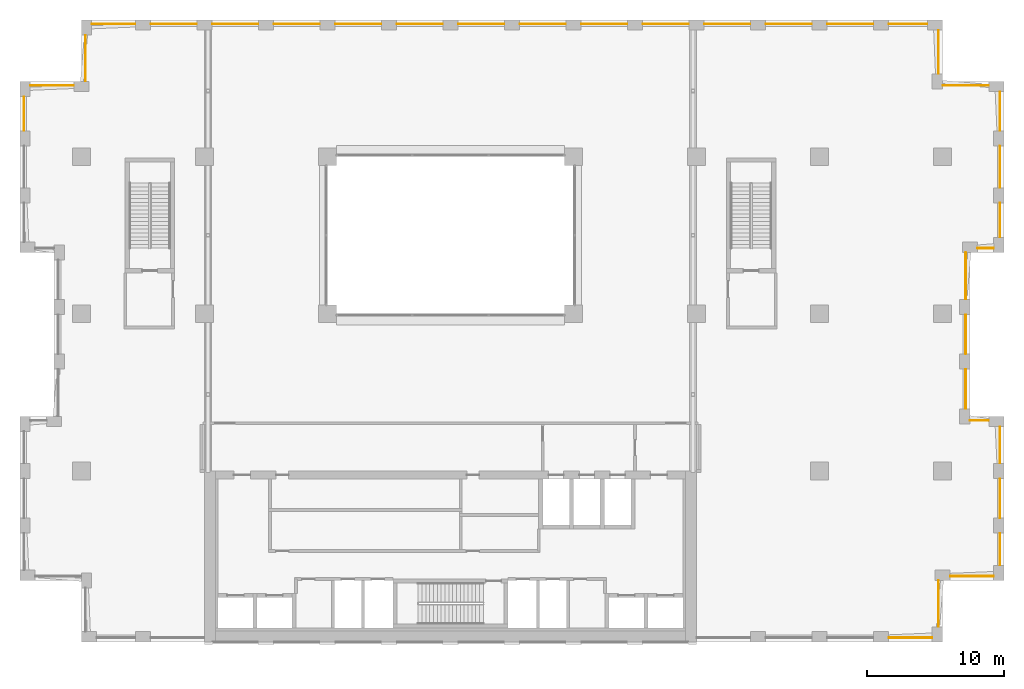
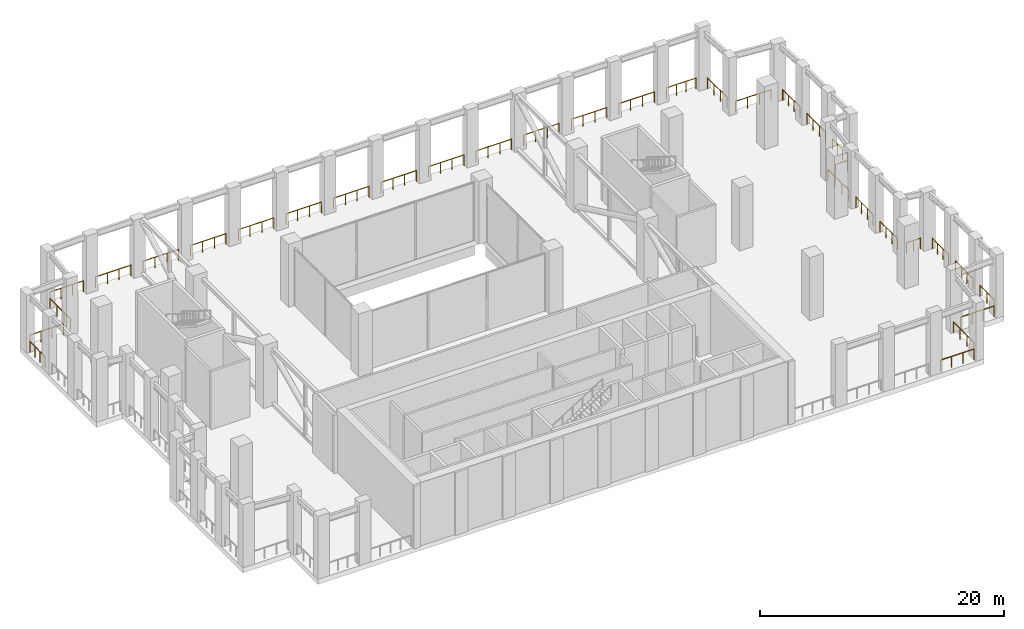
# One storey, part 14 of 14: 33 railings.
"""IFC4 building model written with IfcOpenShell, lengths in metres."""

from ifc_helpers import new_model, si_unit, direction, frame, origin, origin_2d, place, context, subcontext, project, spatial, circle, extrude, material, type_object, element, save


model = new_model("IFC4")

# Units and contexts
model_context = context("Model", 3, precision=1e-05, world=origin(), true_north=direction((0.0, 1.0)))
body_context = subcontext(model_context, "Body", "Model", "MODEL_VIEW")
ifc_project = project(units=[si_unit("LENGTHUNIT", "METRE"), si_unit("AREAUNIT", "SQUARE_METRE"), si_unit("VOLUMEUNIT", "CUBIC_METRE"), si_unit("PLANEANGLEUNIT", "RADIAN"), si_unit("MASSUNIT", "GRAM", prefix="KILO")], contexts=[model_context])

# Site, building, storey
site_placement = place(None, origin())
site = spatial("IfcSite", under=ifc_project, at=site_placement, CompositionType="ELEMENT")
building_placement = place(site_placement, origin())
building = spatial("IfcBuilding", under=site, at=building_placement, Name="Brigalow Station Residences", CompositionType="ELEMENT")
storey_placement = place(building_placement, frame((0.0, 0.0, 130.800048828125)))
storey = spatial("IfcBuildingStorey", under=building, at=storey_placement, Name="L38", CompositionType="ELEMENT", Elevation=130.800048828125)

# Railings
ifc_material = material(Name="Stainless steel balustrade with laminated glass infill", Category="steel")
railing_type = type_object("IfcRailingType", Name="BALCONY GUARD 1100", PredefinedType="GUARDRAIL", material=ifc_material)
railing_1_placement = place(storey_placement, frame((68.072998046875, 0.300048828125, 0.0)))
element("IfcRailing", 1, at=railing_1_placement, inside=storey, type_object=railing_type, Name="L38/edge-guard/W-L38-4-6", PredefinedType="GUARDRAIL", context=body_context, shape_type="SweptSolid", body=[
    extrude(circle(Radius=0.02392578125, at=origin_2d()), frame((0.0, 0.0, 1.076171875), z_axis=(1.0, 0.0, 0.0), x_axis=(0.0, 1.0, 0.0)), (0.0, 0.0, 1.0), 3.154052734375),
    extrude(circle(Radius=0.02099609375, at=origin_2d()), origin(), (0.0, 0.0, 1.0), 1.052001953125),
    extrude(circle(Radius=0.02099609375, at=origin_2d()), frame((1.05126953125, 0.0, 0.0)), (0.0, 0.0, 1.0), 1.052001953125),
    extrude(circle(Radius=0.02099609375, at=origin_2d()), frame((2.102783203125, 0.0, 0.0)), (0.0, 0.0, 1.0), 1.052001953125),
    extrude(circle(Radius=0.02099609375, at=origin_2d()), frame((3.154052734375, 0.0, 0.0)), (0.0, 0.0, 1.0), 1.052001953125),
])
railing_2_placement = place(storey_placement, frame((71.699951171875, 1.123046875, 0.0)))
element("IfcRailing", 2, at=railing_2_placement, inside=storey, type_object=railing_type, Name="L38/edge-guard/W-L38-8-7", PredefinedType="GUARDRAIL", context=body_context, shape_type="SweptSolid", body=[
    extrude(circle(Radius=0.02392578125, at=origin_2d()), frame((0.0, 0.0, 1.076171875), z_axis=(0.0, 1.0, 0.0), x_axis=(-1.0, 0.0, 0.0)), (0.0, 0.0, 1.0), 3.35400390625),
    extrude(circle(Radius=0.02099609375, at=origin_2d()), origin(), (0.0, 0.0, 1.0), 1.052001953125),
    extrude(circle(Radius=0.02099609375, at=origin_2d()), frame((0.0, 1.117919921875, 0.0)), (0.0, 0.0, 1.0), 1.052001953125),
    extrude(circle(Radius=0.02099609375, at=origin_2d()), frame((0.0, 2.236083984375, 0.0)), (0.0, 0.0, 1.0), 1.052001953125),
    extrude(circle(Radius=0.02099609375, at=origin_2d()), frame((0.0, 3.35400390625, 0.0)), (0.0, 0.0, 1.0), 1.052001953125),
])
railing_3_placement = place(storey_placement, frame((72.572998046875, 4.800048828125, 0.0)))
element("IfcRailing", 3, at=railing_3_placement, inside=storey, type_object=railing_type, Name="L38/edge-guard/W-L38-9-8", PredefinedType="GUARDRAIL", context=body_context, shape_type="SweptSolid", body=[
    extrude(circle(Radius=0.02392578125, at=origin_2d()), frame((0.0, 0.0, 1.076171875), z_axis=(1.0, 0.0, 0.0), x_axis=(0.0, 1.0, 0.0)), (0.0, 0.0, 1.0), 3.154052734375),
    extrude(circle(Radius=0.02099609375, at=origin_2d()), origin(), (0.0, 0.0, 1.0), 1.052001953125),
    extrude(circle(Radius=0.02099609375, at=origin_2d()), frame((1.05126953125, 0.0, 0.0)), (0.0, 0.0, 1.0), 1.052001953125),
    extrude(circle(Radius=0.02099609375, at=origin_2d()), frame((2.102783203125, 0.0, 0.0)), (0.0, 0.0, 1.0), 1.052001953125),
    extrude(circle(Radius=0.02099609375, at=origin_2d()), frame((3.154052734375, 0.0, 0.0)), (0.0, 0.0, 1.0), 1.052001953125),
])
railing_4_placement = place(storey_placement, frame((76.199951171875, 5.623046875, 0.0)))
element("IfcRailing", 4, at=railing_4_placement, inside=storey, type_object=railing_type, Name="L38/edge-guard/W-L38-10-9", PredefinedType="GUARDRAIL", context=body_context, shape_type="SweptSolid", body=[
    extrude(circle(Radius=0.02392578125, at=origin_2d()), frame((0.0, 0.0, 1.076171875), z_axis=(0.0, 1.0, 0.0), x_axis=(-1.0, 0.0, 0.0)), (0.0, 0.0, 1.0), 2.303955078125),
    extrude(circle(Radius=0.02099609375, at=origin_2d()), origin(), (0.0, 0.0, 1.0), 1.052001953125),
    extrude(circle(Radius=0.02099609375, at=origin_2d()), frame((0.0, 1.15185546875, 0.0)), (0.0, 0.0, 1.0), 1.052001953125),
    extrude(circle(Radius=0.02099609375, at=origin_2d()), frame((0.0, 2.303955078125, 0.0)), (0.0, 0.0, 1.0), 1.052001953125),
])
railing_5_placement = place(storey_placement, frame((76.199951171875, 9.072998046875, 0.0)))
element("IfcRailing", 5, at=railing_5_placement, inside=storey, type_object=railing_type, Name="L38/edge-guard/W-L38-10-10", PredefinedType="GUARDRAIL", context=body_context, shape_type="SweptSolid", body=[
    extrude(circle(Radius=0.02392578125, at=origin_2d()), frame((0.0, 0.0, 1.076171875), z_axis=(0.0, 1.0, 0.0), x_axis=(-1.0, 0.0, 0.0)), (0.0, 0.0, 1.0), 2.85400390625),
    extrude(circle(Radius=0.02099609375, at=origin_2d()), origin(), (0.0, 0.0, 1.0), 1.052001953125),
    extrude(circle(Radius=0.02099609375, at=origin_2d()), frame((0.0, 0.951416015625, 0.0)), (0.0, 0.0, 1.0), 1.052001953125),
    extrude(circle(Radius=0.02099609375, at=origin_2d()), frame((0.0, 1.902587890625, 0.0)), (0.0, 0.0, 1.0), 1.052001953125),
    extrude(circle(Radius=0.02099609375, at=origin_2d()), frame((0.0, 2.85400390625, 0.0)), (0.0, 0.0, 1.0), 1.052001953125),
])
railing_6_placement = place(storey_placement, frame((76.199951171875, 13.072998046875, 0.0)))
element("IfcRailing", 6, at=railing_6_placement, inside=storey, type_object=railing_type, Name="L38/edge-guard/W-L38-10-11", PredefinedType="GUARDRAIL", context=body_context, shape_type="SweptSolid", body=[
    extrude(circle(Radius=0.02392578125, at=origin_2d()), frame((0.0, 0.0, 1.076171875), z_axis=(0.0, 1.0, 0.0), x_axis=(-1.0, 0.0, 0.0)), (0.0, 0.0, 1.0), 2.654052734375),
    extrude(circle(Radius=0.02099609375, at=origin_2d()), origin(), (0.0, 0.0, 1.0), 1.052001953125),
    extrude(circle(Radius=0.02099609375, at=origin_2d()), frame((0.0, 0.884765625, 0.0)), (0.0, 0.0, 1.0), 1.052001953125),
    extrude(circle(Radius=0.02099609375, at=origin_2d()), frame((0.0, 1.769287109375, 0.0)), (0.0, 0.0, 1.0), 1.052001953125),
    extrude(circle(Radius=0.02099609375, at=origin_2d()), frame((0.0, 2.654052734375, 0.0)), (0.0, 0.0, 1.0), 1.052001953125),
])
railing_7_placement = place(storey_placement, frame((75.376953125, 16.199951171875, 0.0)))
element("IfcRailing", 7, at=railing_7_placement, inside=storey, type_object=railing_type, Name="L38/edge-guard/W-L38-13-12", PredefinedType="GUARDRAIL", context=body_context, shape_type="SweptSolid", body=[
    extrude(circle(Radius=0.02392578125, at=origin_2d()), frame((0.0, 0.0, 1.076171875), z_axis=(-1.0, 0.0, 0.0), x_axis=(0.0, -1.0, 0.0)), (0.0, 0.0, 1.0), 1.35400390625),
    extrude(circle(Radius=0.02099609375, at=origin_2d()), origin(), (0.0, 0.0, 1.0), 1.052001953125),
    extrude(circle(Radius=0.02099609375, at=origin_2d()), frame((-0.677001953125, 0.0, 0.0)), (0.0, 0.0, 1.0), 1.052001953125),
    extrude(circle(Radius=0.02099609375, at=origin_2d()), frame((-1.35400390625, 0.0, 0.0)), (0.0, 0.0, 1.0), 1.052001953125),
])
for number, where, name in (
    (8, (73.699951171875, 17.072998046875, 0.0), "L38/edge-guard/W-L38-14-13"),
    (9, (73.699951171875, 21.072998046875, 0.0), "L38/edge-guard/W-L38-14-14"),
):
    element("IfcRailing", number, at=place(storey_placement, frame(where)), inside=storey, type_object=railing_type, Name=name, PredefinedType="GUARDRAIL", context=body_context, shape_type="SweptSolid", body=[
        extrude(circle(Radius=0.02392578125, at=origin_2d()), frame((0.0, 0.0, 1.076171875), z_axis=(0.0, 1.0, 0.0), x_axis=(-1.0, 0.0, 0.0)), (0.0, 0.0, 1.0), 2.85400390625),
        extrude(circle(Radius=0.02099609375, at=origin_2d()), origin(), (0.0, 0.0, 1.0), 1.052001953125),
        extrude(circle(Radius=0.02099609375, at=origin_2d()), frame((0.0, 0.951416015625, 0.0)), (0.0, 0.0, 1.0), 1.052001953125),
        extrude(circle(Radius=0.02099609375, at=origin_2d()), frame((0.0, 1.902587890625, 0.0)), (0.0, 0.0, 1.0), 1.052001953125),
        extrude(circle(Radius=0.02099609375, at=origin_2d()), frame((0.0, 2.85400390625, 0.0)), (0.0, 0.0, 1.0), 1.052001953125),
    ])
railing_8_placement = place(storey_placement, frame((73.699951171875, 25.072998046875, 0.0)))
element("IfcRailing", 10, at=railing_8_placement, inside=storey, type_object=railing_type, Name="L38/edge-guard/W-L38-14-15", PredefinedType="GUARDRAIL", context=body_context, shape_type="SweptSolid", body=[
    extrude(circle(Radius=0.02392578125, at=origin_2d()), frame((0.0, 0.0, 1.076171875), z_axis=(0.0, 1.0, 0.0), x_axis=(-1.0, 0.0, 0.0)), (0.0, 0.0, 1.0), 3.404052734375),
    extrude(circle(Radius=0.02099609375, at=origin_2d()), origin(), (0.0, 0.0, 1.0), 1.052001953125),
    extrude(circle(Radius=0.02099609375, at=origin_2d()), frame((0.0, 1.134765625, 0.0)), (0.0, 0.0, 1.0), 1.052001953125),
    extrude(circle(Radius=0.02099609375, at=origin_2d()), frame((0.0, 2.269287109375, 0.0)), (0.0, 0.0, 1.0), 1.052001953125),
    extrude(circle(Radius=0.02099609375, at=origin_2d()), frame((0.0, 3.404052734375, 0.0)), (0.0, 0.0, 1.0), 1.052001953125),
])
railing_9_placement = place(storey_placement, frame((74.572998046875, 28.800048828125, 0.0)))
element("IfcRailing", 11, at=railing_9_placement, inside=storey, type_object=railing_type, Name="L38/edge-guard/W-L38-17-16", PredefinedType="GUARDRAIL", context=body_context, shape_type="SweptSolid", body=[
    extrude(circle(Radius=0.02392578125, at=origin_2d()), frame((0.0, 0.0, 1.076171875), z_axis=(1.0, 0.0, 0.0), x_axis=(0.0, 1.0, 0.0)), (0.0, 0.0, 1.0), 1.154052734375),
    extrude(circle(Radius=0.02099609375, at=origin_2d()), origin(), (0.0, 0.0, 1.0), 1.052001953125),
    extrude(circle(Radius=0.02099609375, at=origin_2d()), frame((1.154052734375, 0.0, 0.0)), (0.0, 0.0, 1.0), 1.052001953125),
])
railing_10_placement = place(storey_placement, frame((76.199951171875, 29.623046875, 0.0)))
element("IfcRailing", 12, at=railing_10_placement, inside=storey, type_object=railing_type, Name="L38/edge-guard/W-L38-18-17", PredefinedType="GUARDRAIL", context=body_context, shape_type="SweptSolid", body=[
    extrude(circle(Radius=0.02392578125, at=origin_2d()), frame((0.0, 0.0, 1.076171875), z_axis=(0.0, 1.0, 0.0), x_axis=(-1.0, 0.0, 0.0)), (0.0, 0.0, 1.0), 2.470947265625),
    extrude(circle(Radius=0.02099609375, at=origin_2d()), origin(), (0.0, 0.0, 1.0), 1.052001953125),
    extrude(circle(Radius=0.02099609375, at=origin_2d()), frame((0.0, 0.82373046875, 0.0)), (0.0, 0.0, 1.0), 1.052001953125),
    extrude(circle(Radius=0.02099609375, at=origin_2d()), frame((0.0, 1.647216796875, 0.0)), (0.0, 0.0, 1.0), 1.052001953125),
    extrude(circle(Radius=0.02099609375, at=origin_2d()), frame((0.0, 2.470947265625, 0.0)), (0.0, 0.0, 1.0), 1.052001953125),
])
railing_11_placement = place(storey_placement, frame((76.199951171875, 33.239990234375, 0.0)))
element("IfcRailing", 13, at=railing_11_placement, inside=storey, type_object=railing_type, Name="L38/edge-guard/W-L38-18-18", PredefinedType="GUARDRAIL", context=body_context, shape_type="SweptSolid", body=[
    extrude(circle(Radius=0.02392578125, at=origin_2d()), frame((0.0, 0.0, 1.076171875), z_axis=(0.0, 1.0, 0.0), x_axis=(-1.0, 0.0, 0.0)), (0.0, 0.0, 1.0), 3.02001953125),
    extrude(circle(Radius=0.02099609375, at=origin_2d()), origin(), (0.0, 0.0, 1.0), 1.052001953125),
    extrude(circle(Radius=0.02099609375, at=origin_2d()), frame((0.0, 1.006591796875, 0.0)), (0.0, 0.0, 1.0), 1.052001953125),
    extrude(circle(Radius=0.02099609375, at=origin_2d()), frame((0.0, 2.013427734375, 0.0)), (0.0, 0.0, 1.0), 1.052001953125),
    extrude(circle(Radius=0.02099609375, at=origin_2d()), frame((0.0, 3.02001953125, 0.0)), (0.0, 0.0, 1.0), 1.052001953125),
])
railing_12_placement = place(storey_placement, frame((76.199951171875, 37.406005859375, 0.0)))
element("IfcRailing", 14, at=railing_12_placement, inside=storey, type_object=railing_type, Name="L38/edge-guard/W-L38-18-19", PredefinedType="GUARDRAIL", context=body_context, shape_type="SweptSolid", body=[
    extrude(circle(Radius=0.02392578125, at=origin_2d()), frame((0.0, 0.0, 1.076171875), z_axis=(0.0, 1.0, 0.0), x_axis=(-1.0, 0.0, 0.0)), (0.0, 0.0, 1.0), 2.821044921875),
    extrude(circle(Radius=0.02099609375, at=origin_2d()), origin(), (0.0, 0.0, 1.0), 1.052001953125),
    extrude(circle(Radius=0.02099609375, at=origin_2d()), frame((0.0, 0.9404296875, 0.0)), (0.0, 0.0, 1.0), 1.052001953125),
    extrude(circle(Radius=0.02099609375, at=origin_2d()), frame((0.0, 1.880615234375, 0.0)), (0.0, 0.0, 1.0), 1.052001953125),
    extrude(circle(Radius=0.02099609375, at=origin_2d()), frame((0.0, 2.821044921875, 0.0)), (0.0, 0.0, 1.0), 1.052001953125),
])
railing_13_placement = place(storey_placement, frame((75.376953125, 40.699951171875, 0.0)))
element("IfcRailing", 15, at=railing_13_placement, inside=storey, type_object=railing_type, Name="L38/edge-guard/W-L38-21-20", PredefinedType="GUARDRAIL", context=body_context, shape_type="SweptSolid", body=[
    extrude(circle(Radius=0.02392578125, at=origin_2d()), frame((0.0, 0.0, 1.076171875), z_axis=(-1.0, 0.0, 0.0), x_axis=(0.0, -1.0, 0.0)), (0.0, 0.0, 1.0), 3.35400390625),
    extrude(circle(Radius=0.02099609375, at=origin_2d()), origin(), (0.0, 0.0, 1.0), 1.052001953125),
    extrude(circle(Radius=0.02099609375, at=origin_2d()), frame((-1.117919921875, 0.0, 0.0)), (0.0, 0.0, 1.0), 1.052001953125),
    extrude(circle(Radius=0.02099609375, at=origin_2d()), frame((-2.236083984375, 0.0, 0.0)), (0.0, 0.0, 1.0), 1.052001953125),
    extrude(circle(Radius=0.02099609375, at=origin_2d()), frame((-3.35400390625, 0.0, 0.0)), (0.0, 0.0, 1.0), 1.052001953125),
])
railing_14_placement = place(storey_placement, frame((71.699951171875, 41.572998046875, 0.0)))
element("IfcRailing", 16, at=railing_14_placement, inside=storey, type_object=railing_type, Name="L38/edge-guard/W-L38-22-21", PredefinedType="GUARDRAIL", context=body_context, shape_type="SweptSolid", body=[
    extrude(circle(Radius=0.02392578125, at=origin_2d()), frame((0.0, 0.0, 1.076171875), z_axis=(0.0, 1.0, 0.0), x_axis=(-1.0, 0.0, 0.0)), (0.0, 0.0, 1.0), 3.154052734375),
    extrude(circle(Radius=0.02099609375, at=origin_2d()), origin(), (0.0, 0.0, 1.0), 1.052001953125),
    extrude(circle(Radius=0.02099609375, at=origin_2d()), frame((0.0, 1.05126953125, 0.0)), (0.0, 0.0, 1.0), 1.052001953125),
    extrude(circle(Radius=0.02099609375, at=origin_2d()), frame((0.0, 2.102783203125, 0.0)), (0.0, 0.0, 1.0), 1.052001953125),
    extrude(circle(Radius=0.02099609375, at=origin_2d()), frame((0.0, 3.154052734375, 0.0)), (0.0, 0.0, 1.0), 1.052001953125),
])
railing_15_placement = place(storey_placement, frame((70.876953125, 45.199951171875, 0.0)))
element("IfcRailing", 17, at=railing_15_placement, inside=storey, type_object=railing_type, Name="L38/edge-guard/W-L38-23-22", PredefinedType="GUARDRAIL", context=body_context, shape_type="SweptSolid", body=[
    extrude(circle(Radius=0.02392578125, at=origin_2d()), frame((0.0, 0.0, 1.076171875), z_axis=(-1.0, 0.0, 0.0), x_axis=(0.0, -1.0, 0.0)), (0.0, 0.0, 1.0), 2.803955078125),
    extrude(circle(Radius=0.02099609375, at=origin_2d()), origin(), (0.0, 0.0, 1.0), 1.052001953125),
    extrude(circle(Radius=0.02099609375, at=origin_2d()), frame((-0.9345703125, 0.0, 0.0)), (0.0, 0.0, 1.0), 1.052001953125),
    extrude(circle(Radius=0.02099609375, at=origin_2d()), frame((-1.869384765625, 0.0, 0.0)), (0.0, 0.0, 1.0), 1.052001953125),
    extrude(circle(Radius=0.02099609375, at=origin_2d()), frame((-2.803955078125, 0.0, 0.0)), (0.0, 0.0, 1.0), 1.052001953125),
])
for number, where, name in (
    (18, (66.927001953125, 45.199951171875, 0.0), "L38/edge-guard/W-L38-23-23"),
    (19, (62.427001953125, 45.199951171875, 0.0), "L38/edge-guard/W-L38-23-24"),
    (20, (57.927001953125, 45.199951171875, 0.0), "L38/edge-guard/W-L38-23-25"),
    (21, (53.427001953125, 45.199951171875, 0.0), "L38/edge-guard/W-L38-23-26"),
    (22, (48.927001953125, 45.199951171875, 0.0), "L38/edge-guard/W-L38-23-27"),
    (23, (44.427001953125, 45.199951171875, 0.0), "L38/edge-guard/W-L38-23-28"),
    (24, (39.927001953125, 45.199951171875, 0.0), "L38/edge-guard/W-L38-23-29"),
    (25, (35.427001953125, 45.199951171875, 0.0), "L38/edge-guard/W-L38-23-30"),
    (26, (30.927001953125, 45.199951171875, 0.0), "L38/edge-guard/W-L38-23-31"),
    (27, (26.427001953125, 45.199951171875, 0.0), "L38/edge-guard/W-L38-23-32"),
    (28, (21.927001953125, 45.199951171875, 0.0), "L38/edge-guard/W-L38-23-33"),
    (29, (17.427001953125, 45.199951171875, 0.0), "L38/edge-guard/W-L38-23-34"),
):
    element("IfcRailing", number, at=place(storey_placement, frame(where)), inside=storey, type_object=railing_type, Name=name, PredefinedType="GUARDRAIL", context=body_context, shape_type="SweptSolid", body=[
        extrude(circle(Radius=0.02392578125, at=origin_2d()), frame((0.0, 0.0, 1.076171875), z_axis=(-1.0, 0.0, 0.0), x_axis=(0.0, -1.0, 0.0)), (0.0, 0.0, 1.0), 3.35400390625),
        extrude(circle(Radius=0.02099609375, at=origin_2d()), origin(), (0.0, 0.0, 1.0), 1.052001953125),
        extrude(circle(Radius=0.02099609375, at=origin_2d()), frame((-1.117919921875, 0.0, 0.0)), (0.0, 0.0, 1.0), 1.052001953125),
        extrude(circle(Radius=0.02099609375, at=origin_2d()), frame((-2.236083984375, 0.0, 0.0)), (0.0, 0.0, 1.0), 1.052001953125),
        extrude(circle(Radius=0.02099609375, at=origin_2d()), frame((-3.35400390625, 0.0, 0.0)), (0.0, 0.0, 1.0), 1.052001953125),
    ])
railing_16_placement = place(storey_placement, frame((12.927001953125, 45.199951171875, 0.0)))
element("IfcRailing", 30, at=railing_16_placement, inside=storey, type_object=railing_type, Name="L38/edge-guard/W-L38-23-35", PredefinedType="GUARDRAIL", context=body_context, shape_type="SweptSolid", body=[
    extrude(circle(Radius=0.02392578125, at=origin_2d()), frame((0.0, 0.0, 1.076171875), z_axis=(-1.0, 0.0, 0.0), x_axis=(0.0, -1.0, 0.0)), (0.0, 0.0, 1.0), 3.154052734375),
    extrude(circle(Radius=0.02099609375, at=origin_2d()), origin(), (0.0, 0.0, 1.0), 1.052001953125),
    extrude(circle(Radius=0.02099609375, at=origin_2d()), frame((-1.05126953125, 0.0, 0.0)), (0.0, 0.0, 1.0), 1.052001953125),
    extrude(circle(Radius=0.02099609375, at=origin_2d()), frame((-2.102783203125, 0.0, 0.0)), (0.0, 0.0, 1.0), 1.052001953125),
    extrude(circle(Radius=0.02099609375, at=origin_2d()), frame((-3.154052734375, 0.0, 0.0)), (0.0, 0.0, 1.0), 1.052001953125),
])
railing_17_placement = place(storey_placement, frame((9.300048828125, 44.376953125, 0.0)))
element("IfcRailing", 31, at=railing_17_placement, inside=storey, type_object=railing_type, Name="L38/edge-guard/W-L38-37-36", PredefinedType="GUARDRAIL", context=body_context, shape_type="SweptSolid", body=[
    extrude(circle(Radius=0.02392578125, at=origin_2d()), frame((0.0, 0.0, 1.076171875), z_axis=(0.0, -1.0, 0.0), x_axis=(1.0, 0.0, 0.0)), (0.0, 0.0, 1.0), 3.35400390625),
    extrude(circle(Radius=0.02099609375, at=origin_2d()), origin(), (0.0, 0.0, 1.0), 1.052001953125),
    extrude(circle(Radius=0.02099609375, at=origin_2d()), frame((0.0, -1.117919921875, 0.0)), (0.0, 0.0, 1.0), 1.052001953125),
    extrude(circle(Radius=0.02099609375, at=origin_2d()), frame((0.0, -2.236083984375, 0.0)), (0.0, 0.0, 1.0), 1.052001953125),
    extrude(circle(Radius=0.02099609375, at=origin_2d()), frame((0.0, -3.35400390625, 0.0)), (0.0, 0.0, 1.0), 1.052001953125),
])
railing_18_placement = place(storey_placement, frame((8.427001953125, 40.699951171875, 0.0)))
element("IfcRailing", 32, at=railing_18_placement, inside=storey, type_object=railing_type, Name="L38/edge-guard/W-L38-38-37", PredefinedType="GUARDRAIL", context=body_context, shape_type="SweptSolid", body=[
    extrude(circle(Radius=0.02392578125, at=origin_2d()), frame((0.0, 0.0, 1.076171875), z_axis=(-1.0, 0.0, 0.0), x_axis=(0.0, -1.0, 0.0)), (0.0, 0.0, 1.0), 3.154052734375),
    extrude(circle(Radius=0.02099609375, at=origin_2d()), origin(), (0.0, 0.0, 1.0), 1.052001953125),
    extrude(circle(Radius=0.02099609375, at=origin_2d()), frame((-1.05126953125, 0.0, 0.0)), (0.0, 0.0, 1.0), 1.052001953125),
    extrude(circle(Radius=0.02099609375, at=origin_2d()), frame((-2.102783203125, 0.0, 0.0)), (0.0, 0.0, 1.0), 1.052001953125),
    extrude(circle(Radius=0.02099609375, at=origin_2d()), frame((-3.154052734375, 0.0, 0.0)), (0.0, 0.0, 1.0), 1.052001953125),
])
railing_19_placement = place(storey_placement, frame((4.800048828125, 39.876953125, 0.0)))
element("IfcRailing", 33, at=railing_19_placement, inside=storey, type_object=railing_type, Name="L38/edge-guard/W-L38-39-38", PredefinedType="GUARDRAIL", context=body_context, shape_type="SweptSolid", body=[
    extrude(circle(Radius=0.02392578125, at=origin_2d()), frame((0.0, 0.0, 1.076171875), z_axis=(0.0, -1.0, 0.0), x_axis=(1.0, 0.0, 0.0)), (0.0, 0.0, 1.0), 2.470947265625),
    extrude(circle(Radius=0.02099609375, at=origin_2d()), origin(), (0.0, 0.0, 1.0), 1.052001953125),
    extrude(circle(Radius=0.02099609375, at=origin_2d()), frame((0.0, -0.82373046875, 0.0)), (0.0, 0.0, 1.0), 1.052001953125),
    extrude(circle(Radius=0.02099609375, at=origin_2d()), frame((0.0, -1.647216796875, 0.0)), (0.0, 0.0, 1.0), 1.052001953125),
    extrude(circle(Radius=0.02099609375, at=origin_2d()), frame((0.0, -2.470947265625, 0.0)), (0.0, 0.0, 1.0), 1.052001953125),
])

save(model, "model.ifc")
